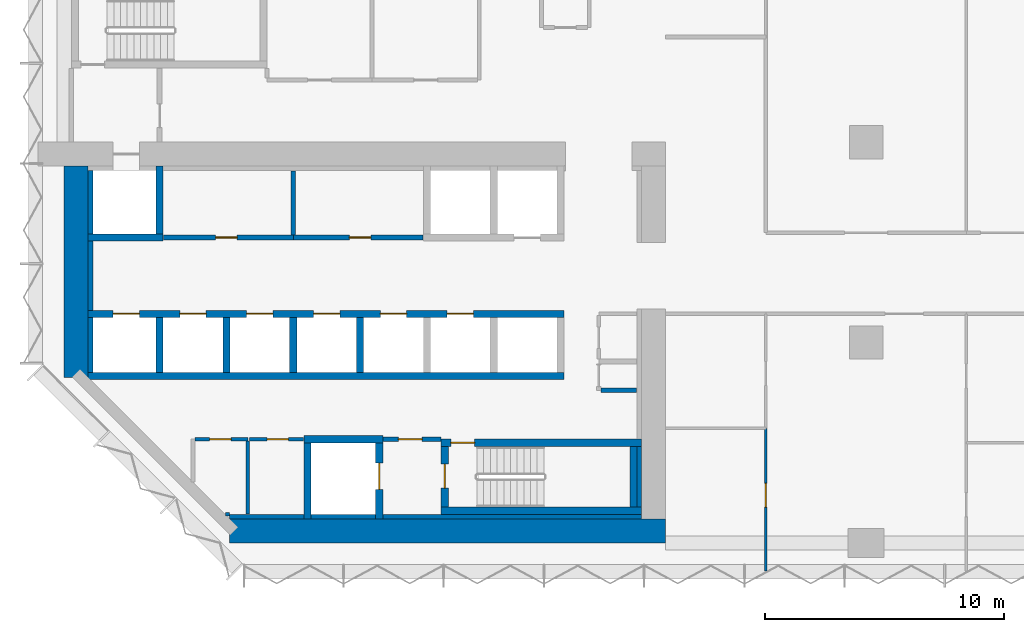
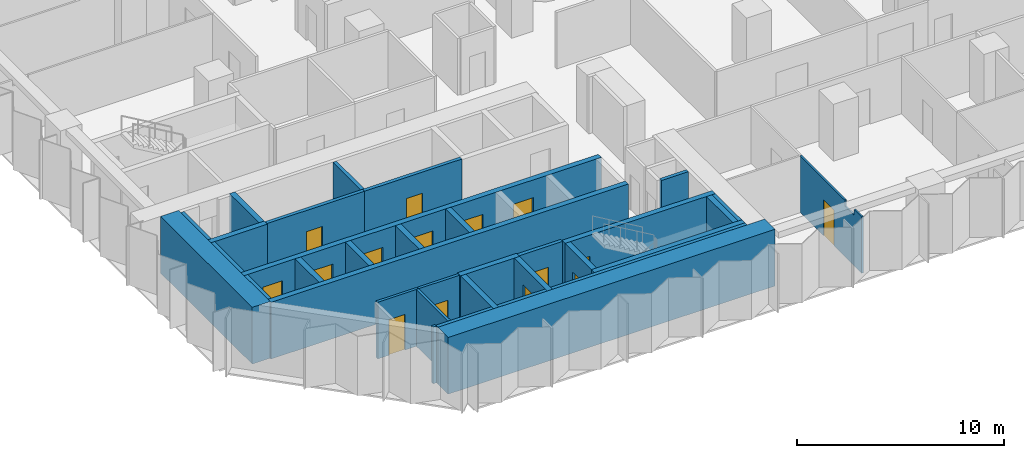
# One storey, part 7 of 15: 34 walls, 15 doors, 15 openings.
"""IFC4 building model written with IfcOpenShell, lengths in metres."""

from ifc_helpers import new_model, si_unit, direction, frame, frame_2d, origin, place, context, subcontext, project, spatial, polyline, rectangle, outline, extrude, material, layer, layer_set, type_object, element, fill, save


model = new_model("IFC4")

# Units and contexts
model_context = context("Model", 3, precision=1e-05, world=origin(), true_north=direction((0.0, 1.0)))
body_context = subcontext(model_context, "Body", "Model", "MODEL_VIEW")
ifc_project = project(units=[si_unit("LENGTHUNIT", "METRE"), si_unit("AREAUNIT", "SQUARE_METRE"), si_unit("VOLUMEUNIT", "CUBIC_METRE"), si_unit("PLANEANGLEUNIT", "RADIAN"), si_unit("MASSUNIT", "GRAM", prefix="KILO")], contexts=[model_context])

# Site, building, storey
site_placement = place(None, origin())
site = spatial("IfcSite", under=ifc_project, at=site_placement, CompositionType="ELEMENT")
building_placement = place(site_placement, origin())
building = spatial("IfcBuilding", under=site, at=building_placement, Name="Brevane Broadcast Tower", CompositionType="ELEMENT")
storey_placement = place(building_placement, frame((0.0, 0.0, 47.300048828125)))
storey = spatial("IfcBuildingStorey", under=building, at=storey_placement, Name="L09", CompositionType="ELEMENT", Elevation=47.300048828125)

# Walls
ifc_material_1 = material(Name="Concrete C32/40", Category="concrete")
ifc_layer_1 = layer(ifc_material_1, 0.199951171875)
ifc_layer_set_1 = layer_set([ifc_layer_1], Name="Core chase wall 200 mm")
wall_type_1 = type_object("IfcWallType", Name="Core chase wall 200 mm", PredefinedType="PARTITIONING", material=ifc_layer_set_1)
wall_1_placement = place(storey_placement, frame((1.10009765625, 7.14990234375, 0.0), z_axis=(0.0, 0.0, 1.0), x_axis=(0.0, 1.0, 0.0)))
element("IfcWall", 1, at=wall_1_placement, inside=storey, type_object=wall_type_1, Name="L09 chase wall LW-2-1", PredefinedType="PARTITIONING", context=body_context, shape_type="SweptSolid", body=[
    extrude(rectangle(XDim=2.300048828125, YDim=0.199951171875, at=frame_2d((1.14990234375, 0.0))), origin(), (0.0, 0.0, 1.0), 3.349853515625),
])
wall_2_placement = place(storey_placement, frame((1.10009765625, 9.75, 0.0), z_axis=(0.0, 0.0, 1.0), x_axis=(0.0, 1.0, 0.0)))
element("IfcWall", 2, at=wall_2_placement, inside=storey, type_object=wall_type_1, Name="L09 chase wall LW-2-2-1", PredefinedType="PARTITIONING", context=body_context, shape_type="SweptSolid", body=[
    extrude(rectangle(XDim=2.89990234375, YDim=0.199951171875, at=frame_2d((1.449951171875, 0.0))), origin(), (0.0, 0.0, 1.0), 3.349853515625),
])
wall_3_placement = place(storey_placement, frame((1.10009765625, 12.949951171875, 0.0), z_axis=(0.0, 0.0, 1.0), x_axis=(0.0, 1.0, 0.0)))
element("IfcWall", 3, at=wall_3_placement, inside=storey, type_object=wall_type_1, Name="L09 chase wall LW-2-2-2", PredefinedType="PARTITIONING", context=body_context, shape_type="SweptSolid", body=[
    extrude(rectangle(XDim=2.650146484375, YDim=0.199951171875, at=frame_2d((1.3251953125, 0.0))), origin(), (0.0, 0.0, 1.0), 3.349853515625),
])
wall_4_placement = place(storey_placement, frame((6.936279296875, 1.10009765625, 0.0), z_axis=(0.0, 0.0, 1.0), x_axis=(1.0, 0.0, 0.0)))
element("IfcWall", 4, at=wall_4_placement, inside=storey, type_object=wall_type_1, Name="L09 chase wall LS-1", PredefinedType="PARTITIONING", context=body_context, shape_type="SweptSolid", body=[
    extrude(rectangle(XDim=3.11376953125, YDim=0.199951171875, at=frame_2d((1.556884765625, 0.0))), origin(), (0.0, 0.0, 1.0), 3.349853515625),
])
wall_5_placement = place(storey_placement, frame((10.35009765625, 1.10009765625, 0.0), z_axis=(0.0, 0.0, 1.0), x_axis=(1.0, 0.0, 0.0)))
element("IfcWall", 5, at=wall_5_placement, inside=storey, type_object=wall_type_1, Name="L09 chase wall LS-2-1", PredefinedType="PARTITIONING", context=body_context, shape_type="SweptSolid", body=[
    extrude(rectangle(XDim=2.699951171875, YDim=0.199951171875, at=frame_2d((1.35009765625, 0.0))), origin(), (0.0, 0.0, 1.0), 3.349853515625),
])
wall_6_placement = place(storey_placement, frame((13.35009765625, 1.10009765625, 0.0), z_axis=(0.0, 0.0, 1.0), x_axis=(1.0, 0.0, 0.0)))
element("IfcWall", 6, at=wall_6_placement, inside=storey, type_object=wall_type_1, Name="L09 chase wall LS-2-2", PredefinedType="PARTITIONING", context=body_context, shape_type="SweptSolid", body=[
    extrude(rectangle(XDim=10.849853515625, YDim=0.199951171875, at=frame_2d((5.4248046875, 0.0))), origin(), (0.0, 0.0, 1.0), 3.349853515625),
])
wall_7_placement = place(storey_placement, frame((24.10009765625, 1.5, 0.0), z_axis=(0.0, 0.0, 1.0), x_axis=(0.0, 1.0, 0.0)))
element("IfcWall", 7, at=wall_7_placement, inside=storey, type_object=wall_type_1, Name="L09 chase wall LE1-2-1", PredefinedType="PARTITIONING", context=body_context, shape_type="SweptSolid", body=[
    extrude(rectangle(XDim=2.550048828125, YDim=0.199951171875, at=frame_2d((1.27490234375, 0.0))), origin(), (0.0, 0.0, 1.0), 3.349853515625),
])

# Wall, opening, door
ifc_material_2 = material(Name="Gypsum board on steel studs", Category="steel")
ifc_layer_2 = layer(ifc_material_2, 0.14990234375)
ifc_layer_set_2 = layer_set([ifc_layer_2], Name="Core fire partition 150 mm")
wall_type_2 = type_object("IfcWallType", Name="Core fire partition 150 mm", PredefinedType="PARTITIONING", material=ifc_layer_set_2)
wall_8_placement = place(storey_placement, frame((5.47509765625, 4.35009765625, 0.0), z_axis=(0.0, 0.0, 1.0), x_axis=(1.0, 0.0, 0.0)))
wall_8 = element("IfcWall", 8, at=wall_8_placement, inside=storey, type_object=wall_type_2, Name="L09 partition wall P11", PredefinedType="PARTITIONING", context=body_context, shape_type="SweptSolid", body=[
    extrude(rectangle(XDim=2.224853515625, YDim=0.14990234375, at=frame_2d((1.1123046875, 0.0))), origin(), (0.0, 0.0, 1.0), 3.349853515625),
])
opening_1_placement = place(wall_8_placement, frame((0.625, 0.0, 0.0)))
opening_1 = element("IfcOpeningElement", 9, at=opening_1_placement, cuts=wall_8, Name="Opening L09-K16", PredefinedType="OPENING", context=body_context, shape_type="SweptSolid", body=[
    extrude(rectangle(XDim=0.89990234375, YDim=2.10009765625, at=frame_2d((0.449951171875, 1.050048828125))), frame((0.0, 0.0849609375, 0.0), z_axis=(0.0, -1.0, 0.0), x_axis=(1.0, 0.0, 0.0)), (0.0, 0.0, 1.0), 0.169921875),
])
ifc_material_3 = material(Name="Timber", Category="wood")
door_type_1 = type_object("IfcDoorType", Name="Toilet door 900 x 2100", OperationType="SINGLE_SWING_LEFT", PredefinedType="DOOR", material=ifc_material_3)
door_1_placement = place(opening_1_placement, origin())
door_1 = element("IfcDoor", 10, at=door_1_placement, inside=storey, type_object=door_type_1, Name="Door L09-K16", OperationType="SINGLE_SWING_LEFT", OverallHeight=2.10009765625, OverallWidth=0.89990234375, PredefinedType="DOOR", context=body_context, shape_type="SweptSolid", body=[
    extrude(rectangle(XDim=0.89990234375, YDim=2.10009765625, at=frame_2d((0.449951171875, 1.050048828125))), frame((0.0, 0.02490234375, 0.0), z_axis=(0.0, -1.0, 0.0), x_axis=(1.0, 0.0, 0.0)), (0.0, 0.0, 1.0), 0.050048828125),
])
fill(opening_1, door_1)

# Walls
wall_9_placement = place(storey_placement, frame((7.699951171875, 4.27490234375, 0.0), z_axis=(0.0, 0.0, 1.0), x_axis=(0.0, -1.0, 0.0)))
element("IfcWall", 11, at=wall_9_placement, inside=storey, type_object=wall_type_2, Name="L09 partition wall P12", PredefinedType="PARTITIONING", context=body_context, shape_type="SweptSolid", body=[
    extrude(rectangle(XDim=3.06298828125, YDim=0.14990234375, at=frame_2d((1.531494140625, 0.0))), origin(), (0.0, 0.0, 1.0), 3.349853515625),
])
wall_10_placement = place(storey_placement, frame((6.92431640625, 1.199951171875, 0.0), z_axis=(0.0, 0.0, 1.0), x_axis=(-1.0, 0.0, 0.0)))
element("IfcWall", 12, at=wall_10_placement, inside=storey, type_object=wall_type_2, Name="L09 partition wall P13", PredefinedType="PARTITIONING", context=body_context, shape_type="SweptSolid", body=[
    extrude(rectangle(XDim=0.1708984375, YDim=0.14990234375, at=frame_2d((0.08544921875, 0.0))), origin(), (0.0, 0.0, 1.0), 3.349853515625),
])

# Wall, opening, door
wall_11_placement = place(storey_placement, frame((10.0380859375, 4.35009765625, 0.0), z_axis=(0.0, 0.0, 1.0), x_axis=(-1.0, 0.0, 0.0)))
wall_11 = element("IfcWall", 13, at=wall_11_placement, inside=storey, type_object=wall_type_2, Name="L09 partition wall P14", PredefinedType="PARTITIONING", context=body_context, shape_type="SweptSolid", body=[
    extrude(rectangle(XDim=2.26318359375, YDim=0.14990234375, at=frame_2d((1.131591796875, 0.0))), origin(), (0.0, 0.0, 1.0), 3.349853515625),
])
opening_2_placement = place(wall_11_placement, frame((0.637939453125, 0.0, 0.0)))
opening_2 = element("IfcOpeningElement", 14, at=opening_2_placement, cuts=wall_11, Name="Opening L09-K17", PredefinedType="OPENING", context=body_context, shape_type="SweptSolid", body=[
    extrude(rectangle(XDim=0.89990234375, YDim=2.10009765625, at=frame_2d((0.449951171875, 1.050048828125))), frame((0.0, 0.0849609375, 0.0), z_axis=(0.0, -1.0, 0.0), x_axis=(1.0, 0.0, 0.0)), (0.0, 0.0, 1.0), 0.169921875),
])
door_2_placement = place(opening_2_placement, origin())
door_2 = element("IfcDoor", 15, at=door_2_placement, inside=storey, type_object=door_type_1, Name="Door L09-K17", OperationType="SINGLE_SWING_RIGHT", OverallHeight=2.10009765625, OverallWidth=0.89990234375, PredefinedType="DOOR", context=body_context, shape_type="SweptSolid", body=[
    extrude(rectangle(XDim=0.89990234375, YDim=2.10009765625, at=frame_2d((0.449951171875, 1.050048828125))), frame((0.0, 0.02490234375, 0.0), z_axis=(0.0, -1.0, 0.0), x_axis=(1.0, 0.0, 0.0)), (0.0, 0.0, 1.0), 0.050048828125),
])
fill(opening_2, door_2)

ifc_layer_3 = layer(ifc_material_2, 0.199951171875)
ifc_layer_set_3 = layer_set([ifc_layer_3], Name="Core fire partition 200 mm")
wall_type_3 = type_object("IfcWallType", Name="Core fire partition 200 mm", PredefinedType="PARTITIONING", material=ifc_layer_set_3)
wall_12_placement = place(storey_placement, frame((13.362060546875, 4.35009765625, 0.0), z_axis=(0.0, 0.0, 1.0), x_axis=(1.0, 0.0, 0.0)))
wall_12 = element("IfcWall", 16, at=wall_12_placement, inside=storey, type_object=wall_type_3, Name="L09 partition wall P03", PredefinedType="PARTITIONING", context=body_context, shape_type="SweptSolid", body=[
    extrude(rectangle(XDim=2.426025390625, YDim=0.199951171875, at=frame_2d((1.212890625, 0.0))), origin(), (0.0, 0.0, 1.0), 3.349853515625),
])
opening_3_placement = place(wall_12_placement, frame((0.637939453125, 0.0, 0.0)))
opening_3 = element("IfcOpeningElement", 17, at=opening_3_placement, cuts=wall_12, Name="Opening L09-K18", PredefinedType="OPENING", context=body_context, shape_type="SweptSolid", body=[
    extrude(rectangle(XDim=1.0, YDim=2.10009765625, at=frame_2d((0.5, 1.050048828125))), frame((0.0, 0.10986328125, 0.0), z_axis=(0.0, -1.0, 0.0), x_axis=(1.0, 0.0, 0.0)), (0.0, 0.0, 1.0), 0.219970703125),
])
ifc_material_4 = material(Name="Steel", Category="steel")
door_type_2 = type_object("IfcDoorType", Name="Stair door 1000 x 2100", OperationType="SINGLE_SWING_LEFT", PredefinedType="DOOR", material=ifc_material_4)
door_3_placement = place(opening_3_placement, origin())
door_3 = element("IfcDoor", 18, at=door_3_placement, inside=storey, type_object=door_type_2, Name="Door L09-K18", OperationType="SINGLE_SWING_LEFT", OverallHeight=2.10009765625, OverallWidth=1.0, PredefinedType="DOOR", context=body_context, shape_type="SweptSolid", body=[
    extrude(rectangle(XDim=1.0, YDim=2.10009765625, at=frame_2d((0.5, 1.050048828125))), frame((0.0, 0.02490234375, 0.0), z_axis=(0.0, -1.0, 0.0), x_axis=(1.0, 0.0, 0.0)), (0.0, 0.0, 1.0), 0.050048828125),
])
fill(opening_3, door_3)

wall_13_placement = place(storey_placement, frame((4.162109375, 12.800048828125, 0.0), z_axis=(0.0, 0.0, 1.0), x_axis=(1.0, 0.0, 0.0)))
wall_13 = element("IfcWall", 19, at=wall_13_placement, inside=storey, type_object=wall_type_3, Name="L09 partition wall P04", PredefinedType="PARTITIONING", context=body_context, shape_type="SweptSolid", body=[
    extrude(rectangle(XDim=5.43798828125, YDim=0.199951171875, at=frame_2d((2.718994140625, 0.0))), origin(), (0.0, 0.0, 1.0), 3.349853515625),
])
opening_4_placement = place(wall_13_placement, frame((2.18798828125, 0.0, 0.0)))
opening_4 = element("IfcOpeningElement", 20, at=opening_4_placement, cuts=wall_13, Name="Opening L09-K21", PredefinedType="OPENING", context=body_context, shape_type="SweptSolid", body=[
    extrude(rectangle(XDim=0.89990234375, YDim=2.10009765625, at=frame_2d((0.449951171875, 1.050048828125))), frame((0.0, 0.10986328125, 0.0), z_axis=(0.0, -1.0, 0.0), x_axis=(1.0, 0.0, 0.0)), (0.0, 0.0, 1.0), 0.219970703125),
])
door_type_3 = type_object("IfcDoorType", Name="Service room door 900 x 2100", OperationType="SINGLE_SWING_LEFT", PredefinedType="DOOR", material=ifc_material_4)
door_4_placement = place(opening_4_placement, origin())
door_4 = element("IfcDoor", 21, at=door_4_placement, inside=storey, type_object=door_type_3, Name="Door L09-K21", OperationType="SINGLE_SWING_RIGHT", OverallHeight=2.10009765625, OverallWidth=0.89990234375, PredefinedType="DOOR", context=body_context, shape_type="SweptSolid", body=[
    extrude(rectangle(XDim=0.89990234375, YDim=2.10009765625, at=frame_2d((0.449951171875, 1.050048828125))), frame((0.0, 0.02490234375, 0.0), z_axis=(0.0, -1.0, 0.0), x_axis=(1.0, 0.0, 0.0)), (0.0, 0.0, 1.0), 0.050048828125),
])
fill(opening_4, door_4)

wall_14_placement = place(storey_placement, frame((9.60009765625, 12.800048828125, 0.0), z_axis=(0.0, 0.0, 1.0), x_axis=(1.0, 0.0, 0.0)))
wall_14 = element("IfcWall", 22, at=wall_14_placement, inside=storey, type_object=wall_type_3, Name="L09 partition wall P05", PredefinedType="PARTITIONING", context=body_context, shape_type="SweptSolid", body=[
    extrude(rectangle(XDim=5.43798828125, YDim=0.199951171875, at=frame_2d((2.718994140625, 0.0))), origin(), (0.0, 0.0, 1.0), 3.349853515625),
])
opening_5_placement = place(wall_14_placement, frame((2.35009765625, 0.0, 0.0)))
opening_5 = element("IfcOpeningElement", 23, at=opening_5_placement, cuts=wall_14, Name="Opening L09-K22", PredefinedType="OPENING", context=body_context, shape_type="SweptSolid", body=[
    extrude(rectangle(XDim=0.89990234375, YDim=2.10009765625, at=frame_2d((0.449951171875, 1.050048828125))), frame((0.0, 0.10986328125, 0.0), z_axis=(0.0, -1.0, 0.0), x_axis=(1.0, 0.0, 0.0)), (0.0, 0.0, 1.0), 0.219970703125),
])
door_5_placement = place(opening_5_placement, origin())
door_5 = element("IfcDoor", 24, at=door_5_placement, inside=storey, type_object=door_type_3, Name="Door L09-K22", OperationType="SINGLE_SWING_LEFT", OverallHeight=2.10009765625, OverallWidth=0.89990234375, PredefinedType="DOOR", context=body_context, shape_type="SweptSolid", body=[
    extrude(rectangle(XDim=0.89990234375, YDim=2.10009765625, at=frame_2d((0.449951171875, 1.050048828125))), frame((0.0, 0.02490234375, 0.0), z_axis=(0.0, -1.0, 0.0), x_axis=(1.0, 0.0, 0.0)), (0.0, 0.0, 1.0), 0.050048828125),
])
fill(opening_5, door_5)

# Walls
wall_15_placement = place(storey_placement, frame((9.60009765625, 15.587890625, 0.0), z_axis=(0.0, 0.0, 1.0), x_axis=(0.0, -1.0, 0.0)))
element("IfcWall", 25, at=wall_15_placement, inside=storey, type_object=wall_type_3, Name="L09 partition wall P06", PredefinedType="PARTITIONING", context=body_context, shape_type="SweptSolid", body=[
    extrude(rectangle(XDim=2.68798828125, YDim=0.199951171875, at=frame_2d((1.343994140625, 0.0))), origin(), (0.0, 0.0, 1.0), 3.349853515625),
])
wall_16_placement = place(storey_placement, frame((22.5, 6.39990234375, 0.0), z_axis=(0.0, 0.0, 1.0), x_axis=(1.0, 0.0, 0.0)))
element("IfcWall", 26, at=wall_16_placement, inside=storey, type_object=wall_type_3, Name="L09 partition wall P09", PredefinedType="PARTITIONING", context=body_context, shape_type="SweptSolid", body=[
    extrude(rectangle(XDim=1.488037109375, YDim=0.199951171875, at=frame_2d((0.744140625, 0.0))), origin(), (0.0, 0.0, 1.0), 3.349853515625),
])
ifc_material_5 = material(Name="Concrete C80/95", Category="concrete")
ifc_layer_4 = layer(ifc_material_5, 1.0)
ifc_layer_set_4 = layer_set([ifc_layer_4], Name="Core wall 1000 mm C80/95")
wall_type_4 = type_object("IfcWallType", Name="Core wall 1000 mm C80/95", PredefinedType="SHEAR", material=ifc_layer_set_4)
wall_17_placement = place(storey_placement, frame((6.936279296875, 0.5, 0.0), z_axis=(0.0, 0.0, 1.0), x_axis=(1.0, 0.0, 0.0)))
element("IfcWall", 27, at=wall_17_placement, inside=storey, type_object=wall_type_4, Name="L09 outer wall WS", PredefinedType="SHEAR", context=body_context, shape_type="SweptSolid", body=[
    extrude(rectangle(XDim=18.263671875, YDim=1.0, at=frame_2d((9.1318359375, 0.0))), origin(), (0.0, 0.0, 1.0), 3.349853515625),
])
wall_18_placement = place(storey_placement, frame((0.5, 6.936279296875, 0.0), z_axis=(0.0, 0.0, 1.0), x_axis=(0.0, 1.0, 0.0)))
element("IfcWall", 28, at=wall_18_placement, inside=storey, type_object=wall_type_4, Name="L09 outer wall WW", PredefinedType="SHEAR", context=body_context, shape_type="SweptSolid", body=[
    extrude(rectangle(XDim=8.86376953125, YDim=1.0, at=frame_2d((4.431884765625, 0.0))), origin(), (0.0, 0.0, 1.0), 3.349853515625),
])
ifc_layer_5 = layer(ifc_material_5, 0.300048828125)
ifc_layer_set_5 = layer_set([ifc_layer_5], Name="Core wall 300 mm C80/95")
wall_type_5 = type_object("IfcWallType", Name="Core wall 300 mm C80/95", PredefinedType="SHEAR", material=ifc_layer_set_5)
wall_19_placement = place(storey_placement, frame((1.0, 7.0, 0.0), z_axis=(0.0, 0.0, 1.0), x_axis=(1.0, 0.0, 0.0)))
element("IfcWall", 29, at=wall_19_placement, inside=storey, type_object=wall_type_5, Name="L09 shaft wall SH-S012-back", PredefinedType="SHEAR", context=body_context, shape_type="SweptSolid", body=[
    extrude(rectangle(XDim=19.949951171875, YDim=0.300048828125, at=frame_2d((9.97509765625, 0.0))), origin(), (0.0, 0.0, 1.0), 3.349853515625),
])

# Wall, openings, doors
wall_20_placement = place(storey_placement, frame((1.0, 9.60009765625, 0.0), z_axis=(0.0, 0.0, 1.0), x_axis=(1.0, 0.0, 0.0)))
wall_20 = element("IfcWall", 30, at=wall_20_placement, inside=storey, type_object=wall_type_5, Name="L09 shaft wall SH-S012-front", PredefinedType="SHEAR", context=body_context, shape_type="SweptSolid", body=[
    extrude(rectangle(XDim=19.949951171875, YDim=0.300048828125, at=frame_2d((9.97509765625, 0.0))), origin(), (0.0, 0.0, 1.0), 3.349853515625),
])
opening_6_placement = place(wall_20_placement, frame((1.050048828125, 0.0, 0.0)))
opening_6 = element("IfcOpeningElement", 31, at=opening_6_placement, cuts=wall_20, Name="Opening LD", PredefinedType="OPENING", context=body_context, shape_type="SweptSolid", body=[
    extrude(rectangle(XDim=1.10009765625, YDim=2.300048828125, at=frame_2d((0.550048828125, 1.14990234375))), frame((0.0, 0.159912109375, 0.0), z_axis=(0.0, -1.0, 0.0), x_axis=(1.0, 0.0, 0.0)), (0.0, 0.0, 1.0), 0.320068359375),
])
opening_7_placement = place(wall_20_placement, frame((3.85009765625, 0.0, 0.0)))
opening_7 = element("IfcOpeningElement", 32, at=opening_7_placement, cuts=wall_20, Name="Opening LD", PredefinedType="OPENING", context=body_context, shape_type="SweptSolid", body=[
    extrude(rectangle(XDim=1.10009765625, YDim=2.300048828125, at=frame_2d((0.550048828125, 1.14990234375))), frame((0.0, 0.159912109375, 0.0), z_axis=(0.0, -1.0, 0.0), x_axis=(1.0, 0.0, 0.0)), (0.0, 0.0, 1.0), 0.320068359375),
])
opening_8_placement = place(wall_20_placement, frame((6.64990234375, 0.0, 0.0)))
opening_8 = element("IfcOpeningElement", 33, at=opening_8_placement, cuts=wall_20, Name="Opening LD", PredefinedType="OPENING", context=body_context, shape_type="SweptSolid", body=[
    extrude(rectangle(XDim=1.10009765625, YDim=2.300048828125, at=frame_2d((0.550048828125, 1.14990234375))), frame((0.0, 0.159912109375, 0.0), z_axis=(0.0, -1.0, 0.0), x_axis=(1.0, 0.0, 0.0)), (0.0, 0.0, 1.0), 0.320068359375),
])
opening_9_placement = place(wall_20_placement, frame((9.449951171875, 0.0, 0.0)))
opening_9 = element("IfcOpeningElement", 34, at=opening_9_placement, cuts=wall_20, Name="Opening LD", PredefinedType="OPENING", context=body_context, shape_type="SweptSolid", body=[
    extrude(rectangle(XDim=1.10009765625, YDim=2.300048828125, at=frame_2d((0.550048828125, 1.14990234375))), frame((0.0, 0.159912109375, 0.0), z_axis=(0.0, -1.0, 0.0), x_axis=(1.0, 0.0, 0.0)), (0.0, 0.0, 1.0), 0.320068359375),
])
opening_10_placement = place(wall_20_placement, frame((12.25, 0.0, 0.0)))
opening_10 = element("IfcOpeningElement", 35, at=opening_10_placement, cuts=wall_20, Name="Opening LD", PredefinedType="OPENING", context=body_context, shape_type="SweptSolid", body=[
    extrude(rectangle(XDim=1.10009765625, YDim=2.300048828125, at=frame_2d((0.550048828125, 1.14990234375))), frame((0.0, 0.159912109375, 0.0), z_axis=(0.0, -1.0, 0.0), x_axis=(1.0, 0.0, 0.0)), (0.0, 0.0, 1.0), 0.320068359375),
])
opening_11_placement = place(wall_20_placement, frame((15.050048828125, 0.0, 0.0)))
opening_11 = element("IfcOpeningElement", 36, at=opening_11_placement, cuts=wall_20, Name="Opening LD", PredefinedType="OPENING", context=body_context, shape_type="SweptSolid", body=[
    extrude(rectangle(XDim=1.10009765625, YDim=2.300048828125, at=frame_2d((0.550048828125, 1.14990234375))), frame((0.0, 0.159912109375, 0.0), z_axis=(0.0, -1.0, 0.0), x_axis=(1.0, 0.0, 0.0)), (0.0, 0.0, 1.0), 0.320068359375),
])
ifc_material_6 = material(Name="Stainless steel", Category="steel")
door_type_4 = type_object("IfcDoorType", Name="Lift landing door", OperationType="SLIDING_TO_LEFT", PredefinedType="DOOR", material=ifc_material_6)
door_6_placement = place(opening_6_placement, origin())
door_6 = element("IfcDoor", 37, at=door_6_placement, inside=storey, type_object=door_type_4, Name="Landing door LR1 L09", OperationType="SLIDING_TO_LEFT", OverallHeight=2.300048828125, OverallWidth=1.10009765625, PredefinedType="DOOR", context=body_context, shape_type="SweptSolid", body=[
    extrude(rectangle(XDim=1.10009765625, YDim=2.300048828125, at=frame_2d((0.550048828125, 1.14990234375))), frame((0.0, 0.02490234375, 0.0), z_axis=(0.0, -1.0, 0.0), x_axis=(1.0, 0.0, 0.0)), (0.0, 0.0, 1.0), 0.050048828125),
])
fill(opening_6, door_6)
door_7_placement = place(opening_7_placement, origin())
door_7 = element("IfcDoor", 38, at=door_7_placement, inside=storey, type_object=door_type_4, Name="Landing door LR2 L09", OperationType="SLIDING_TO_LEFT", OverallHeight=2.300048828125, OverallWidth=1.10009765625, PredefinedType="DOOR", context=body_context, shape_type="SweptSolid", body=[
    extrude(rectangle(XDim=1.10009765625, YDim=2.300048828125, at=frame_2d((0.550048828125, 1.14990234375))), frame((0.0, 0.02490234375, 0.0), z_axis=(0.0, -1.0, 0.0), x_axis=(1.0, 0.0, 0.0)), (0.0, 0.0, 1.0), 0.050048828125),
])
fill(opening_7, door_7)
door_8_placement = place(opening_8_placement, origin())
door_8 = element("IfcDoor", 39, at=door_8_placement, inside=storey, type_object=door_type_4, Name="Landing door LR3 L09", OperationType="SLIDING_TO_LEFT", OverallHeight=2.300048828125, OverallWidth=1.10009765625, PredefinedType="DOOR", context=body_context, shape_type="SweptSolid", body=[
    extrude(rectangle(XDim=1.10009765625, YDim=2.300048828125, at=frame_2d((0.550048828125, 1.14990234375))), frame((0.0, 0.02490234375, 0.0), z_axis=(0.0, -1.0, 0.0), x_axis=(1.0, 0.0, 0.0)), (0.0, 0.0, 1.0), 0.050048828125),
])
fill(opening_8, door_8)
door_9_placement = place(opening_9_placement, origin())
door_9 = element("IfcDoor", 40, at=door_9_placement, inside=storey, type_object=door_type_4, Name="Landing door LR4 L09", OperationType="SLIDING_TO_LEFT", OverallHeight=2.300048828125, OverallWidth=1.10009765625, PredefinedType="DOOR", context=body_context, shape_type="SweptSolid", body=[
    extrude(rectangle(XDim=1.10009765625, YDim=2.300048828125, at=frame_2d((0.550048828125, 1.14990234375))), frame((0.0, 0.02490234375, 0.0), z_axis=(0.0, -1.0, 0.0), x_axis=(1.0, 0.0, 0.0)), (0.0, 0.0, 1.0), 0.050048828125),
])
fill(opening_9, door_9)
door_10_placement = place(opening_10_placement, origin())
door_10 = element("IfcDoor", 41, at=door_10_placement, inside=storey, type_object=door_type_4, Name="Landing door LR5 L09", OperationType="SLIDING_TO_LEFT", OverallHeight=2.300048828125, OverallWidth=1.10009765625, PredefinedType="DOOR", context=body_context, shape_type="SweptSolid", body=[
    extrude(rectangle(XDim=1.10009765625, YDim=2.300048828125, at=frame_2d((0.550048828125, 1.14990234375))), frame((0.0, 0.02490234375, 0.0), z_axis=(0.0, -1.0, 0.0), x_axis=(1.0, 0.0, 0.0)), (0.0, 0.0, 1.0), 0.050048828125),
])
fill(opening_10, door_10)
door_11_placement = place(opening_11_placement, origin())
door_11 = element("IfcDoor", 42, at=door_11_placement, inside=storey, type_object=door_type_4, Name="Landing door LR6 L09", OperationType="SLIDING_TO_LEFT", OverallHeight=2.300048828125, OverallWidth=1.10009765625, PredefinedType="DOOR", context=body_context, shape_type="SweptSolid", body=[
    extrude(rectangle(XDim=1.10009765625, YDim=2.300048828125, at=frame_2d((0.550048828125, 1.14990234375))), frame((0.0, 0.02490234375, 0.0), z_axis=(0.0, -1.0, 0.0), x_axis=(1.0, 0.0, 0.0)), (0.0, 0.0, 1.0), 0.050048828125),
])
fill(opening_11, door_11)

# Walls
for number, where, z_axis, x_axis, name in (
    (43, (4.0, 7.14990234375, 0.0), (0.0, 0.0, 1.0), (0.0, 1.0, 0.0), "L09 shaft wall SH-S-P040"),
    (44, (6.800048828125, 7.14990234375, 0.0), (0.0, 0.0, 1.0), (0.0, 1.0, 0.0), "L09 shaft wall SH-S-P068"),
    (45, (9.60009765625, 7.14990234375, 0.0), (0.0, 0.0, 1.0), (0.0, 1.0, 0.0), "L09 shaft wall SH-S-P096"),
    (46, (12.39990234375, 7.14990234375, 0.0), (0.0, 0.0, 1.0), (0.0, 1.0, 0.0), "L09 shaft wall SH-S-P124"),
):
    element("IfcWall", number, at=place(storey_placement, frame(where, z_axis=z_axis, x_axis=x_axis)), inside=storey, type_object=wall_type_5, Name=name, PredefinedType="SHEAR", context=body_context, shape_type="SweptSolid", body=[
        extrude(rectangle(XDim=2.300048828125, YDim=0.300048828125, at=frame_2d((1.14990234375, 0.0))), origin(), (0.0, 0.0, 1.0), 3.349853515625),
    ])
wall_21_placement = place(storey_placement, frame((1.0, 12.800048828125, 0.0), z_axis=(0.0, 0.0, 1.0), x_axis=(1.0, 0.0, 0.0)))
element("IfcWall", 47, at=wall_21_placement, inside=storey, type_object=wall_type_5, Name="L09 shaft wall SH-N012-front", PredefinedType="SHEAR", context=body_context, shape_type="SweptSolid", body=[
    extrude(rectangle(XDim=3.14990234375, YDim=0.300048828125, at=frame_2d((1.574951171875, 0.0))), origin(), (0.0, 0.0, 1.0), 3.349853515625),
])
wall_22_placement = place(storey_placement, frame((4.0, 12.949951171875, 0.0), z_axis=(0.0, 0.0, 1.0), x_axis=(0.0, 1.0, 0.0)))
element("IfcWall", 48, at=wall_22_placement, inside=storey, type_object=wall_type_5, Name="L09 shaft wall SH-N-P040", PredefinedType="SHEAR", context=body_context, shape_type="SweptSolid", body=[
    extrude(rectangle(XDim=2.85009765625, YDim=0.300048828125, at=frame_2d((1.425048828125, 0.0))), origin(), (0.0, 0.0, 1.0), 3.349853515625),
])
wall_23_placement = place(storey_placement, frame((10.199951171875, 1.0, 0.0), z_axis=(0.0, 0.0, 1.0), x_axis=(0.0, 1.0, 0.0)))
element("IfcWall", 49, at=wall_23_placement, inside=storey, type_object=wall_type_5, Name="L09 shaft wall FF2-W", PredefinedType="SHEAR", context=body_context, shape_type="SweptSolid", body=[
    extrude(rectangle(XDim=3.199951171875, YDim=0.300048828125, at=frame_2d((1.60009765625, 0.0))), origin(), (0.0, 0.0, 1.0), 3.349853515625),
])

# Wall, opening, door
wall_24_placement = place(storey_placement, frame((13.199951171875, 1.0, 0.0), z_axis=(0.0, 0.0, 1.0), x_axis=(0.0, 1.0, 0.0)))
wall_24 = element("IfcWall", 50, at=wall_24_placement, inside=storey, type_object=wall_type_5, Name="L09 shaft wall FF2-E", PredefinedType="SHEAR", context=body_context, shape_type="SweptSolid", body=[
    extrude(rectangle(XDim=3.199951171875, YDim=0.300048828125, at=frame_2d((1.60009765625, 0.0))), origin(), (0.0, 0.0, 1.0), 3.349853515625),
])
opening_12_placement = place(wall_24_placement, frame((1.25, 0.0, 0.0)))
opening_12 = element("IfcOpeningElement", 51, at=opening_12_placement, cuts=wall_24, Name="Opening LD", PredefinedType="OPENING", context=body_context, shape_type="SweptSolid", body=[
    extrude(rectangle(XDim=1.10009765625, YDim=2.300048828125, at=frame_2d((0.550048828125, 1.14990234375))), frame((0.0, 0.159912109375, 0.0), z_axis=(0.0, -1.0, 0.0), x_axis=(1.0, 0.0, 0.0)), (0.0, 0.0, 1.0), 0.320068359375),
])
door_12_placement = place(opening_12_placement, origin())
door_12 = element("IfcDoor", 52, at=door_12_placement, inside=storey, type_object=door_type_4, Name="Landing door FF2 L09", OperationType="SLIDING_TO_LEFT", OverallHeight=2.300048828125, OverallWidth=1.10009765625, PredefinedType="DOOR", context=body_context, shape_type="SweptSolid", body=[
    extrude(rectangle(XDim=1.10009765625, YDim=2.300048828125, at=frame_2d((0.550048828125, 1.14990234375))), frame((0.0, 0.02490234375, 0.0), z_axis=(0.0, -1.0, 0.0), x_axis=(1.0, 0.0, 0.0)), (0.0, 0.0, 1.0), 0.050048828125),
])
fill(opening_12, door_12)

# Walls
wall_25_placement = place(storey_placement, frame((10.050048828125, 4.35009765625, 0.0), z_axis=(0.0, 0.0, 1.0), x_axis=(1.0, 0.0, 0.0)))
element("IfcWall", 53, at=wall_25_placement, inside=storey, type_object=wall_type_5, Name="L09 shaft wall FF2-N", PredefinedType="SHEAR", context=body_context, shape_type="SweptSolid", body=[
    extrude(rectangle(XDim=3.300048828125, YDim=0.300048828125, at=frame_2d((1.64990234375, 0.0))), origin(), (0.0, 0.0, 1.0), 3.349853515625),
])
wall_26_placement = place(storey_placement, frame((15.800048828125, 1.35009765625, 0.0), z_axis=(0.0, 0.0, 1.0), x_axis=(1.0, 0.0, 0.0)))
element("IfcWall", 54, at=wall_26_placement, inside=storey, type_object=wall_type_5, Name="L09 stair wall ST-2-S", PredefinedType="SHEAR", context=body_context, shape_type="SweptSolid", body=[
    extrude(rectangle(XDim=8.39990234375, YDim=0.300048828125, at=frame_2d((4.199951171875, 0.0))), origin(), (0.0, 0.0, 1.0), 3.349853515625),
])

# Wall, opening, door
wall_27_placement = place(storey_placement, frame((15.800048828125, 4.199951171875, 0.0), z_axis=(0.0, 0.0, 1.0), x_axis=(1.0, 0.0, 0.0)))
wall_27 = element("IfcWall", 55, at=wall_27_placement, inside=storey, type_object=wall_type_5, Name="L09 stair wall ST-2-N", PredefinedType="SHEAR", context=body_context, shape_type="SweptSolid", body=[
    extrude(rectangle(XDim=8.39990234375, YDim=0.300048828125, at=frame_2d((4.199951171875, 0.0))), origin(), (0.0, 0.0, 1.0), 3.349853515625),
])
opening_13_placement = place(wall_27_placement, frame((0.39990234375, 0.0, 0.0)))
opening_13 = element("IfcOpeningElement", 56, at=opening_13_placement, cuts=wall_27, Name="Opening L09-K13", PredefinedType="OPENING", context=body_context, shape_type="SweptSolid", body=[
    extrude(rectangle(XDim=1.0, YDim=2.10009765625, at=frame_2d((0.5, 1.050048828125))), frame((0.0, 0.159912109375, 0.0), z_axis=(0.0, -1.0, 0.0), x_axis=(1.0, 0.0, 0.0)), (0.0, 0.0, 1.0), 0.320068359375),
])
door_13_placement = place(opening_13_placement, origin())
door_13 = element("IfcDoor", 57, at=door_13_placement, inside=storey, type_object=door_type_2, Name="Door L09-K13", OperationType="SINGLE_SWING_RIGHT", OverallHeight=2.10009765625, OverallWidth=1.0, PredefinedType="DOOR", context=body_context, shape_type="SweptSolid", body=[
    extrude(rectangle(XDim=1.0, YDim=2.10009765625, at=frame_2d((0.5, 1.050048828125))), frame((0.0, 0.02490234375, 0.0), z_axis=(0.0, -1.0, 0.0), x_axis=(1.0, 0.0, 0.0)), (0.0, 0.0, 1.0), 0.050048828125),
])
fill(opening_13, door_13)

wall_28_placement = place(storey_placement, frame((15.949951171875, 1.5, 0.0), z_axis=(0.0, 0.0, 1.0), x_axis=(0.0, 1.0, 0.0)))
wall_28 = element("IfcWall", 58, at=wall_28_placement, inside=storey, type_object=wall_type_5, Name="L09 stair wall ST-2-W", PredefinedType="SHEAR", context=body_context, shape_type="SweptSolid", body=[
    extrude(rectangle(XDim=2.550048828125, YDim=0.300048828125, at=frame_2d((1.27490234375, 0.0))), origin(), (0.0, 0.0, 1.0), 3.349853515625),
])
opening_14_placement = place(wall_28_placement, frame((0.800048828125, 0.0, 0.0)))
opening_14 = element("IfcOpeningElement", 59, at=opening_14_placement, cuts=wall_28, Name="Opening L09-K12", PredefinedType="OPENING", context=body_context, shape_type="SweptSolid", body=[
    extrude(rectangle(XDim=1.0, YDim=2.10009765625, at=frame_2d((0.5, 1.050048828125))), frame((0.0, 0.159912109375, 0.0), z_axis=(0.0, -1.0, 0.0), x_axis=(1.0, 0.0, 0.0)), (0.0, 0.0, 1.0), 0.320068359375),
])
door_14_placement = place(opening_14_placement, origin())
door_14 = element("IfcDoor", 60, at=door_14_placement, inside=storey, type_object=door_type_2, Name="Door L09-K12", OperationType="SINGLE_SWING_LEFT", OverallHeight=2.10009765625, OverallWidth=1.0, PredefinedType="DOOR", context=body_context, shape_type="SweptSolid", body=[
    extrude(rectangle(XDim=1.0, YDim=2.10009765625, at=frame_2d((0.5, 1.050048828125))), frame((0.0, 0.02490234375, 0.0), z_axis=(0.0, -1.0, 0.0), x_axis=(1.0, 0.0, 0.0)), (0.0, 0.0, 1.0), 0.050048828125),
])
fill(opening_14, door_14)

# Wall
wall_29_placement = place(storey_placement, frame((23.85009765625, 1.5, 0.0), z_axis=(0.0, 0.0, 1.0), x_axis=(0.0, 1.0, 0.0)))
element("IfcWall", 61, at=wall_29_placement, inside=storey, type_object=wall_type_5, Name="L09 stair wall ST-2-E", PredefinedType="SHEAR", context=body_context, shape_type="SweptSolid", body=[
    extrude(rectangle(XDim=2.550048828125, YDim=0.300048828125, at=frame_2d((1.27490234375, 0.0))), origin(), (0.0, 0.0, 1.0), 3.349853515625),
])

# Wall, opening, door
ifc_material_7 = material(Name="Gypsum board partition")
ifc_layer_6 = layer(ifc_material_7, 0.10009765625)
ifc_layer_set_6 = layer_set([ifc_layer_6], Name="PARTITION 100 STUD")
wall_type_6 = type_object("IfcWallType", Name="PARTITION 100 STUD", PredefinedType="PARTITIONING", material=ifc_layer_set_6)
wall_30_placement = place(storey_placement, frame((29.39990234375, -1.174072265625, 0.0), z_axis=(0.0, 0.0, 1.0), x_axis=(0.0, 1.0, 0.0)))
wall_30 = element("IfcWall", 62, at=wall_30_placement, inside=storey, type_object=wall_type_6, Name="Partition G02-019", PredefinedType="PARTITIONING", context=body_context, shape_type="SweptSolid", body=[
    extrude(outline(polyline([(0.0, 0.0), (5.97412109375, 0.0), (5.97412109375, 3.329833984375), (1.6240234375, 3.329833984375), (1.6220703125, 2.97998046875), (0.72607421875, 2.97998046875), (0.72412109375, 3.329833984375), (0.073974609375, 3.329833984375), (0.0, 3.329833984375), (0.0, 0.0)])), frame((0.0, 0.050048828125, 0.0), z_axis=(0.0, -1.0, 0.0), x_axis=(1.0, 0.0, 0.0)), (0.0, 0.0, 1.0), 0.10009765625),
])
opening_15_placement = place(wall_30_placement, frame((2.674072265625, 0.0, 0.0)))
opening_15 = element("IfcOpeningElement", 63, at=opening_15_placement, cuts=wall_30, Name="Opening D08-005", PredefinedType="OPENING", context=body_context, shape_type="SweptSolid", body=[
    extrude(rectangle(XDim=1.0, YDim=2.10009765625, at=frame_2d((0.5, 1.050048828125))), frame((0.0, 0.06005859375, 0.0), z_axis=(0.0, -1.0, 0.0), x_axis=(1.0, 0.0, 0.0)), (0.0, 0.0, 1.0), 0.1201171875),
])
ifc_material_8 = material(Name="Timber door leaf", Category="wood")
door_type_5 = type_object("IfcDoorType", Name="DOOR SINGLE 1000 INTERNAL", OperationType="SINGLE_SWING_LEFT", PredefinedType="DOOR", material=ifc_material_8)
door_15_placement = place(opening_15_placement, origin())
door_15 = element("IfcDoor", 64, at=door_15_placement, inside=storey, type_object=door_type_5, Name="Door D08-005", OperationType="SINGLE_SWING_LEFT", OverallHeight=2.10009765625, OverallWidth=1.0, PredefinedType="DOOR", context=body_context, shape_type="SweptSolid", body=[
    extrude(rectangle(XDim=1.0, YDim=2.10009765625, at=frame_2d((0.5, 1.050048828125))), frame((0.0, 0.02490234375, 0.0), z_axis=(0.0, -1.0, 0.0), x_axis=(1.0, 0.0, 0.0)), (0.0, 0.0, 1.0), 0.050048828125),
])
fill(opening_15, door_15)

save(model, "model.ifc")
